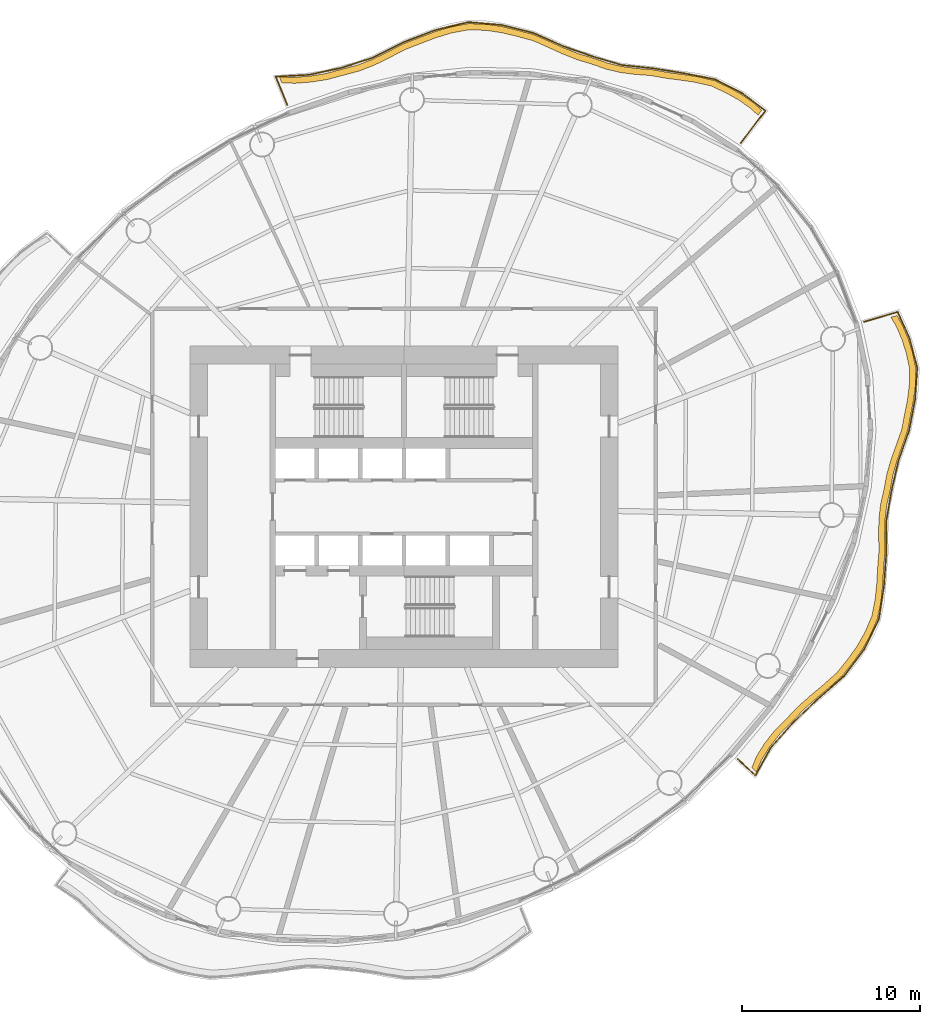
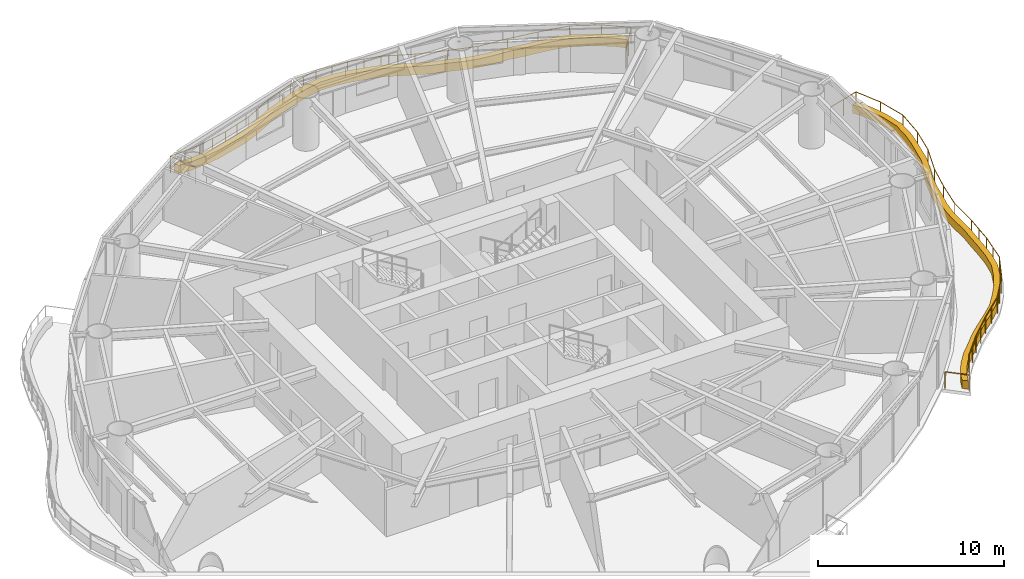
# One storey, part 14 of 14: 2 coverings, 2 railings.
"""IFC4 building model written with IfcOpenShell, lengths in metres."""

from ifc_helpers import new_model, si_unit, direction, frame, origin, origin_2d, place, context, subcontext, project, spatial, polyline, circle, outline, extrude, material, type_object, element, save


model = new_model("IFC4")

# Units and contexts
model_context = context("Model", 3, precision=1e-05, world=origin(), true_north=direction((0.0, 1.0)))
body_context = subcontext(model_context, "Body", "Model", "MODEL_VIEW")
ifc_project = project(units=[si_unit("LENGTHUNIT", "METRE"), si_unit("AREAUNIT", "SQUARE_METRE"), si_unit("VOLUMEUNIT", "CUBIC_METRE"), si_unit("PLANEANGLEUNIT", "RADIAN"), si_unit("MASSUNIT", "GRAM", prefix="KILO")], contexts=[model_context])

# Site, building, storey
site_placement = place(None, origin())
site = spatial("IfcSite", under=ifc_project, at=site_placement, CompositionType="ELEMENT")
building_placement = place(site_placement, origin())
building = spatial("IfcBuilding", under=site, at=building_placement, Name="Vermilion Reach Broadcast Tower", CompositionType="ELEMENT")
storey_placement = place(building_placement, frame((0.0, 0.0, 172.199951171875)))
storey = spatial("IfcBuildingStorey", under=building, at=storey_placement, Name="L41", CompositionType="ELEMENT", Elevation=172.199951171875)

# Coverings
ifc_material_1 = material(Name="Planting soil and greenery")
covering_type = type_object("IfcCoveringType", Name="Balcony PLANTER", PredefinedType="USERDEFINED", material=ifc_material_1)
placement = place(storey_placement, origin())
element("IfcCovering", 1, at=placement, inside=storey, type_object=covering_type, Name="PLANTER L41 group 1", ObjectType="PLANTER", PredefinedType="USERDEFINED", context=body_context, shape_type="SweptSolid", body=[
    extrude(outline(polyline([(14.044677734375, 22.223876953125), (13.5556640625, 22.660888671875), (12.925537109375, 23.100830078125), (12.2529296875, 23.475341796875), (11.39892578125, 23.88232421875), (10.45263671875, 24.106689453125), (9.64501953125, 24.2255859375), (8.832275390625, 24.33251953125), (7.9345703125, 24.494384765625), (7.01416015625, 24.567138671875), (6.2080078125, 24.675048828125), (5.424560546875, 24.860107421875), (4.59375, 25.148193359375), (3.722900390625, 25.406982421875), (2.935546875, 25.72265625), (2.154541015625, 26.080322265625), (1.254150390625, 26.468505859375), (0.289794921875, 26.72314453125), (-0.55322265625, 26.923095703125), (-1.397705078125, 27.04541015625), (-2.3935546875, 27.0791015625), (-3.396240234375, 26.892333984375), (-4.241455078125, 26.63525390625), (-5.080322265625, 26.316162109375), (-6.014892578125, 25.957763671875), (-6.919189453125, 25.49072265625), (-7.736328125, 25.090087890625), (-8.5703125, 24.764892578125), (-9.4833984375, 24.522216796875), (-10.410888671875, 24.27197265625), (-11.3134765625, 24.132080078125), (-12.239501953125, 24.060302734375), (-12.986328125, 24.08837890625), (-12.854248046875, 23.764404296875), (-12.12548828125, 23.729248046875), (-11.199462890625, 23.80126953125), (-10.296630859375, 23.94091796875), (-9.38818359375, 24.185302734375), (-8.494384765625, 24.42333984375), (-7.660400390625, 24.74853515625), (-6.843017578125, 25.14892578125), (-5.958984375, 25.6123046875), (-5.04443359375, 25.968017578125), (-4.205810546875, 26.287109375), (-3.360595703125, 26.544189453125), (-2.379150390625, 26.7294921875), (-1.40478515625, 26.6953125), (-0.560302734375, 26.5732421875), (0.28271484375, 26.373291015625), (1.224853515625, 26.11962890625), (2.102783203125, 25.734130859375), (2.8837890625, 25.37646484375), (3.67138671875, 25.060791015625), (4.518798828125, 24.806396484375), (5.32666015625, 24.524169921875), (6.110107421875, 24.339111328125), (6.916259765625, 24.231201171875), (7.81298828125, 24.166259765625), (8.6875, 24.013671875), (9.50048828125, 23.90673828125), (10.30810546875, 23.787841796875), (11.23095703125, 23.5751953125), (12.0625, 23.181640625), (12.735107421875, 22.80712890625), (13.365478515625, 22.3671875), (13.832275390625, 21.94580078125), (14.044677734375, 22.223876953125)])), origin(), (0.0, 0.0, 1.0), 0.550048828125),
])
element("IfcCovering", 2, at=placement, inside=storey, type_object=covering_type, Name="PLANTER L41 group 4", ObjectType="PLANTER", PredefinedType="USERDEFINED", context=body_context, shape_type="SweptSolid", body=[
    extrude(outline(polyline([(13.744384765625, -14.85888671875), (14.018310546875, -14.2060546875), (14.4990234375, -13.436279296875), (15.05810546875, -12.73193359375), (15.73974609375, -12.04638671875), (16.40625, -11.349365234375), (17.091796875, -10.741943359375), (17.80224609375, -10.15087890625), (18.572021484375, -9.453369140625), (19.200927734375, -8.663818359375), (19.708984375, -7.94873046875), (20.13330078125, -7.19189453125), (20.53564453125, -6.260009765625), (20.73291015625, -5.27587890625), (20.818603515625, -4.406982421875), (20.86865234375, -3.525390625), (20.948486328125, -2.55029296875), (20.93212890625, -1.601318359375), (20.95068359375, -0.76025390625), (21.04541015625, 0.06396484375), (21.242431640625, 0.939453125), (21.401611328125, 1.805419921875), (21.627685546875, 2.59375), (21.906982421875, 3.3779296875), (22.223388671875, 4.28564453125), (22.400390625, 5.208984375), (22.555908203125, 6.004638671875), (22.658203125, 6.796875), (22.679443359375, 7.766845703125), (22.481201171875, 8.6962890625), (22.24658203125, 9.431640625), (21.94482421875, 10.152587890625), (21.62255859375, 10.722900390625), (21.287109375, 10.62353515625), (21.6025390625, 10.07958984375), (21.904296875, 9.3583984375), (22.138916015625, 8.623046875), (22.332763671875, 7.71923828125), (22.308837890625, 6.775390625), (22.20654296875, 5.983154296875), (22.051025390625, 5.1875), (21.87353515625, 4.2890625), (21.55810546875, 3.40625), (21.27880859375, 2.6220703125), (21.052734375, 1.833740234375), (20.896484375, 0.9912109375), (20.70361328125, 0.138916015625), (20.60888671875, -0.685302734375), (20.59033203125, -1.526123046875), (20.6123046875, -2.453369140625), (20.539306640625, -3.4072265625), (20.489013671875, -4.288818359375), (20.403564453125, -5.15771484375), (20.214111328125, -6.121826171875), (19.82080078125, -7.034423828125), (19.396240234375, -7.791259765625), (18.888427734375, -8.50634765625), (18.26904296875, -9.278076171875), (17.51025390625, -9.9580078125), (16.7998046875, -10.549072265625), (16.1142578125, -11.156494140625), (15.458984375, -11.83740234375), (14.78955078125, -12.507568359375), (14.23046875, -13.2119140625), (13.749755859375, -13.981689453125), (13.488525390625, -14.619873046875), (13.744384765625, -14.85888671875)])), origin(), (0.0, 0.0, 1.0), 0.550048828125),
])

# Railings
ifc_material_2 = material(Name="Stainless steel 316 balustrade", Category="steel")
railing_type = type_object("IfcRailingType", Name="Balcony guard 1100", PredefinedType="BALUSTRADE", material=ifc_material_2)
railing_1_placement = place(storey_placement, frame((12.87353515625, 20.39453125, 0.0)))
element("IfcRailing", 3, at=railing_1_placement, inside=storey, type_object=railing_type, Name="Balcony guard L41 group 1", PredefinedType="BALUSTRADE", context=body_context, shape_type="SweptSolid", body=[
    extrude(circle(Radius=0.02490234375, at=origin_2d()), frame((0.0, 0.0, 1.0751953125), z_axis=(0.606912362012, 0.794768761865, 0.0), x_axis=(-0.794768761865, 0.606912362012, 0.0)), (0.0, 0.0, 1.0), 2.2587890625),
    extrude(circle(Radius=0.02490234375, at=origin_2d()), frame((1.370849609375, 1.795166015625, 1.0751953125), z_axis=(-0.793464548972, 0.608616471618, 0.0), x_axis=(-0.608616471618, -0.793464548972, 0.0)), (0.0, 0.0, 1.0), 1.607421875),
    extrude(circle(Radius=0.02490234375, at=origin_2d()), frame((0.095458984375, 2.7734375, 1.0751953125), z_axis=(-0.890015285772, 0.455930686719, 0.0), x_axis=(-0.455930686719, -0.890015285772, 0.0)), (0.0, 0.0, 1.0), 1.720947265625),
    extrude(circle(Radius=0.02490234375, at=origin_2d()), frame((-1.436279296875, 3.55810546875, 1.0751953125), z_axis=(-0.981229957826, 0.192841307465, 0.0), x_axis=(-0.192841307465, -0.981229957826, 0.0)), (0.0, 0.0, 1.0), 1.792724609375),
    extrude(circle(Radius=0.02490234375, at=origin_2d()), frame((-3.1953125, 3.90380859375, 1.0751953125), z_axis=(-0.987734460455, 0.156142997377, 0.0), x_axis=(-0.156142997377, -0.987734460455, 0.0)), (0.0, 0.0, 1.0), 1.737060546875),
    extrude(circle(Radius=0.02490234375, at=origin_2d()), frame((-4.9111328125, 4.175048828125, 1.0751953125), z_axis=(-0.994501611454, 0.104721272027, 0.0), x_axis=(-0.104721272027, -0.994501611454, 0.0)), (0.0, 0.0, 1.0), 1.741455078125),
    extrude(circle(Radius=0.02490234375, at=origin_2d()), frame((-6.64306640625, 4.357421875, 1.0751953125), z_axis=(-0.959685074386, 0.281077494654, 0.0), x_axis=(-0.281077494654, -0.959685074386, 0.0)), (0.0, 0.0, 1.0), 1.687744140625),
    extrude(circle(Radius=0.02490234375, at=origin_2d()), frame((-8.2626953125, 4.831787109375, 1.0751953125), z_axis=(-0.94504377898, 0.326943811398, 0.0), x_axis=(-0.326943811398, -0.94504377898, 0.0)), (0.0, 0.0, 1.0), 1.760009765625),
    extrude(circle(Radius=0.02490234375, at=origin_2d()), frame((-9.926025390625, 5.4072265625, 1.0751953125), z_axis=(-0.91445998209, 0.404676341235, 0.0), x_axis=(-0.404676341235, -0.91445998209, 0.0)), (0.0, 0.0, 1.0), 1.84423828125),
    extrude(circle(Radius=0.02490234375, at=origin_2d()), frame((-11.612548828125, 6.153564453125, 1.0751953125), z_axis=(-0.969934672531, 0.243365426926, 0.0), x_axis=(-0.243365426926, -0.969934672531, 0.0)), (0.0, 0.0, 1.0), 1.868896484375),
    extrude(circle(Radius=0.02490234375, at=origin_2d()), frame((-13.42529296875, 6.6083984375, 1.0751953125), z_axis=(-0.996433943218, 0.084376518081, 0.0), x_axis=(-0.084376518081, -0.996433943218, 0.0)), (0.0, 0.0, 1.0), 1.851806640625),
    extrude(circle(Radius=0.02490234375, at=origin_2d()), frame((-15.2705078125, 6.7646484375, 1.0751953125), z_axis=(-0.972419863752, -0.233237236693, 0.0), x_axis=(0.233237236693, -0.972419863752, 0.0)), (0.0, 0.0, 1.0), 1.905029296875),
    extrude(circle(Radius=0.02490234375, at=origin_2d()), frame((-17.123046875, 6.3203125, 1.0751953125), z_axis=(-0.934353551607, -0.356347359468, 0.0), x_axis=(0.356347359468, -0.934353551607, 0.0)), (0.0, 0.0, 1.0), 1.9033203125),
    extrude(circle(Radius=0.02490234375, at=origin_2d()), frame((-18.9013671875, 5.64208984375, 1.0751953125), z_axis=(-0.893286997431, -0.449486751996, 0.0), x_axis=(0.449486751996, -0.893286997431, 0.0)), (0.0, 0.0, 1.0), 1.931884765625),
    extrude(circle(Radius=0.02490234375, at=origin_2d()), frame((-20.627197265625, 4.773681640625, 1.0751953125), z_axis=(-0.951055499431, -0.309020123944, 0.0), x_axis=(0.309020123944, -0.951055499431, 0.0)), (0.0, 0.0, 1.0), 1.841552734375),
    extrude(circle(Radius=0.02490234375, at=origin_2d()), frame((-22.378662109375, 4.20458984375, 1.0751953125), z_axis=(-0.977992482317, -0.208640131641, 0.0), x_axis=(0.208640131641, -0.977992482317, 0.0)), (0.0, 0.0, 1.0), 1.875732421875),
    extrude(circle(Radius=0.02490234375, at=origin_2d()), frame((-24.213134765625, 3.813232421875, 1.0751953125), z_axis=(-0.998426057306, -0.056083937927, 0.0), x_axis=(0.056083937927, -0.998426057306, 0.0)), (0.0, 0.0, 1.0), 1.85009765625),
    extrude(circle(Radius=0.02490234375, at=origin_2d()), frame((-26.060302734375, 3.70947265625, 1.0751953125), z_axis=(0.377174815028, -0.926142083543, 0.0), x_axis=(0.926142083543, 0.377174815028, 0.0)), (0.0, 0.0, 1.0), 1.71533203125),
    extrude(circle(Radius=0.02490234375, at=origin_2d()), origin(), (0.0, 0.0, 1.0), 1.050048828125),
    extrude(circle(Radius=0.02490234375, at=origin_2d()), frame((0.685546875, 0.8974609375, 0.0)), (0.0, 0.0, 1.0), 1.050048828125),
    extrude(circle(Radius=0.02490234375, at=origin_2d()), frame((1.370849609375, 1.795166015625, 0.0)), (0.0, 0.0, 1.0), 1.050048828125),
    extrude(circle(Radius=0.02490234375, at=origin_2d()), frame((0.095458984375, 2.7734375, 0.0)), (0.0, 0.0, 1.0), 1.050048828125),
    extrude(circle(Radius=0.02490234375, at=origin_2d()), frame((-1.436279296875, 3.55810546875, 0.0)), (0.0, 0.0, 1.0), 1.050048828125),
    extrude(circle(Radius=0.02490234375, at=origin_2d()), frame((-3.1953125, 3.90380859375, 0.0)), (0.0, 0.0, 1.0), 1.050048828125),
    extrude(circle(Radius=0.02490234375, at=origin_2d()), frame((-4.9111328125, 4.175048828125, 0.0)), (0.0, 0.0, 1.0), 1.050048828125),
    extrude(circle(Radius=0.02490234375, at=origin_2d()), frame((-6.64306640625, 4.357421875, 0.0)), (0.0, 0.0, 1.0), 1.050048828125),
    extrude(circle(Radius=0.02490234375, at=origin_2d()), frame((-8.2626953125, 4.831787109375, 0.0)), (0.0, 0.0, 1.0), 1.050048828125),
    extrude(circle(Radius=0.02490234375, at=origin_2d()), frame((-9.926025390625, 5.4072265625, 0.0)), (0.0, 0.0, 1.0), 1.050048828125),
    extrude(circle(Radius=0.02490234375, at=origin_2d()), frame((-10.769287109375, 5.7802734375, 0.0)), (0.0, 0.0, 1.0), 1.050048828125),
    extrude(circle(Radius=0.02490234375, at=origin_2d()), frame((-11.612548828125, 6.153564453125, 0.0)), (0.0, 0.0, 1.0), 1.050048828125),
    extrude(circle(Radius=0.02490234375, at=origin_2d()), frame((-12.51904296875, 6.380859375, 0.0)), (0.0, 0.0, 1.0), 1.050048828125),
    extrude(circle(Radius=0.02490234375, at=origin_2d()), frame((-13.42529296875, 6.6083984375, 0.0)), (0.0, 0.0, 1.0), 1.050048828125),
    extrude(circle(Radius=0.02490234375, at=origin_2d()), frame((-14.347900390625, 6.6865234375, 0.0)), (0.0, 0.0, 1.0), 1.050048828125),
    extrude(circle(Radius=0.02490234375, at=origin_2d()), frame((-15.2705078125, 6.7646484375, 0.0)), (0.0, 0.0, 1.0), 1.050048828125),
    extrude(circle(Radius=0.02490234375, at=origin_2d()), frame((-16.19677734375, 6.54248046875, 0.0)), (0.0, 0.0, 1.0), 1.050048828125),
    extrude(circle(Radius=0.02490234375, at=origin_2d()), frame((-17.123046875, 6.3203125, 0.0)), (0.0, 0.0, 1.0), 1.050048828125),
    extrude(circle(Radius=0.02490234375, at=origin_2d()), frame((-18.01220703125, 5.981201171875, 0.0)), (0.0, 0.0, 1.0), 1.050048828125),
    extrude(circle(Radius=0.02490234375, at=origin_2d()), frame((-18.9013671875, 5.64208984375, 0.0)), (0.0, 0.0, 1.0), 1.050048828125),
    extrude(circle(Radius=0.02490234375, at=origin_2d()), frame((-19.76416015625, 5.2080078125, 0.0)), (0.0, 0.0, 1.0), 1.050048828125),
    extrude(circle(Radius=0.02490234375, at=origin_2d()), frame((-20.627197265625, 4.773681640625, 0.0)), (0.0, 0.0, 1.0), 1.050048828125),
    extrude(circle(Radius=0.02490234375, at=origin_2d()), frame((-21.5029296875, 4.4892578125, 0.0)), (0.0, 0.0, 1.0), 1.050048828125),
    extrude(circle(Radius=0.02490234375, at=origin_2d()), frame((-22.378662109375, 4.20458984375, 0.0)), (0.0, 0.0, 1.0), 1.050048828125),
    extrude(circle(Radius=0.02490234375, at=origin_2d()), frame((-23.2958984375, 4.0087890625, 0.0)), (0.0, 0.0, 1.0), 1.050048828125),
    extrude(circle(Radius=0.02490234375, at=origin_2d()), frame((-24.213134765625, 3.813232421875, 0.0)), (0.0, 0.0, 1.0), 1.050048828125),
    extrude(circle(Radius=0.02490234375, at=origin_2d()), frame((-25.13671875, 3.76123046875, 0.0)), (0.0, 0.0, 1.0), 1.050048828125),
    extrude(circle(Radius=0.02490234375, at=origin_2d()), frame((-26.060302734375, 3.70947265625, 0.0)), (0.0, 0.0, 1.0), 1.050048828125),
    extrude(circle(Radius=0.02490234375, at=origin_2d()), frame((-25.413330078125, 2.120849609375, 0.0)), (0.0, 0.0, 1.0), 1.050048828125),
])
railing_2_placement = place(storey_placement, frame((12.7060546875, -14.135009765625, 0.0)))
element("IfcRailing", 4, at=railing_2_placement, inside=storey, type_object=railing_type, Name="Balcony guard L41 group 4", PredefinedType="BALUSTRADE", context=body_context, shape_type="SweptSolid", body=[
    extrude(circle(Radius=0.02490234375, at=origin_2d()), frame((0.0, 0.0, 1.0751953125), z_axis=(0.730873864846, -0.682512559361, 0.0), x_axis=(0.682512559361, 0.730873864846, 0.0)), (0.0, 0.0, 1.0), 1.3427734375),
    extrude(circle(Radius=0.02490234375, at=origin_2d()), frame((0.9814453125, -0.91650390625, 1.0751953125), z_axis=(0.487320233638, 0.873223333339, 0.0), x_axis=(-0.873223333339, 0.487320233638, 0.0)), (0.0, 0.0, 1.0), 1.791015625),
    extrude(circle(Radius=0.02490234375, at=origin_2d()), frame((1.854248046875, 0.6474609375, 1.0751953125), z_axis=(0.665904057972, 0.746037388859, 0.0), x_axis=(-0.746037388859, 0.665904057972, 0.0)), (0.0, 0.0, 1.0), 1.86767578125),
    extrude(circle(Radius=0.02490234375, at=origin_2d()), frame((3.097900390625, 2.040771484375, 1.0751953125), z_axis=(0.719314343906, 0.6946847304, 0.0), x_axis=(-0.6946847304, 0.719314343906, 0.0)), (0.0, 0.0, 1.0), 1.88330078125),
    extrude(circle(Radius=0.02490234375, at=origin_2d()), frame((4.45263671875, 3.34912109375, 1.0751953125), z_axis=(0.753805840353, 0.657097218872, 0.0), x_axis=(-0.657097218872, 0.753805840353, 0.0)), (0.0, 0.0, 1.0), 1.966552734375),
    extrude(circle(Radius=0.02490234375, at=origin_2d()), frame((5.93505859375, 4.641357421875, 1.0751953125), z_axis=(0.602559025616, 0.798074320254, 0.0), x_axis=(-0.798074320254, 0.602559025616, 0.0)), (0.0, 0.0, 1.0), 1.890625),
    extrude(circle(Radius=0.02490234375, at=origin_2d()), frame((7.07421875, 6.150146484375, 1.0751953125), z_axis=(0.439635108885, 0.898176469874, 0.0), x_axis=(-0.898176469874, 0.439635108885, 0.0)), (0.0, 0.0, 1.0), 1.88525390625),
    extrude(circle(Radius=0.02490234375, at=origin_2d()), frame((7.903076171875, 7.843505859375, 1.0751953125), z_axis=(0.151490902739, 0.988458651835, 0.0), x_axis=(-0.988458651835, 0.151490902739, 0.0)), (0.0, 0.0, 1.0), 1.879150390625),
    extrude(circle(Radius=0.02490234375, at=origin_2d()), frame((8.187744140625, 9.700927734375, 1.0751953125), z_axis=(0.070503372751, 0.997511541001, 0.0), x_axis=(-0.997511541001, 0.070503372751, 0.0)), (0.0, 0.0, 1.0), 1.866455078125),
    extrude(circle(Radius=0.02490234375, at=origin_2d()), frame((8.3193359375, 11.562744140625, 1.0751953125), z_axis=(0.001904499335, 0.999998186439, 0.0), x_axis=(-0.999998186439, 0.001904499335, 0.0)), (0.0, 0.0, 1.0), 1.794677734375),
    extrude(circle(Radius=0.02490234375, at=origin_2d()), frame((8.32275390625, 13.357421875, 1.0751953125), z_axis=(0.169339815093, 0.985557723842, 0.0), x_axis=(-0.985557723842, 0.169339815093, 0.0)), (0.0, 0.0, 1.0), 1.72998046875),
    extrude(circle(Radius=0.02490234375, at=origin_2d()), frame((8.61572265625, 15.0625, 1.0751953125), z_axis=(0.226355454053, 0.974044767154, 0.0), x_axis=(-0.974044767154, 0.226355454053, 0.0)), (0.0, 0.0, 1.0), 1.7041015625),
    extrude(circle(Radius=0.02490234375, at=origin_2d()), frame((9.00146484375, 16.722412109375, 1.0751953125), z_axis=(0.331250930959, 0.943542696829, 0.0), x_axis=(-0.943542696829, 0.331250930959, 0.0)), (0.0, 0.0, 1.0), 1.799072265625),
    extrude(circle(Radius=0.02490234375, at=origin_2d()), frame((9.597412109375, 18.419921875, 1.0751953125), z_axis=(0.189187660371, 0.981940949937, 0.0), x_axis=(-0.981940949937, 0.189187660371, 0.0)), (0.0, 0.0, 1.0), 1.75634765625),
    extrude(circle(Radius=0.02490234375, at=origin_2d()), frame((9.9296875, 20.14453125, 1.0751953125), z_axis=(0.069426111107, 0.997587096497, 0.0), x_axis=(-0.997587096497, 0.069426111107, 0.0)), (0.0, 0.0, 1.0), 1.7724609375),
    extrude(circle(Radius=0.02490234375, at=origin_2d()), frame((10.052734375, 21.91259765625, 1.0751953125), z_axis=(-0.251477519013, 0.967863139824, 0.0), x_axis=(-0.967863139824, -0.251477519013, 0.0)), (0.0, 0.0, 1.0), 1.72607421875),
    extrude(circle(Radius=0.02490234375, at=origin_2d()), frame((9.61865234375, 23.583251953125, 1.0751953125), z_axis=(-0.410396091457, 0.911907368167, 0.0), x_axis=(-0.911907368167, -0.410396091457, 0.0)), (0.0, 0.0, 1.0), 1.61572265625),
    extrude(circle(Radius=0.02490234375, at=origin_2d()), frame((8.95556640625, 25.056640625, 1.0751953125), z_axis=(-0.958872210275, -0.283838130565, 0.0), x_axis=(0.283838130565, -0.958872210275, 0.0)), (0.0, 0.0, 1.0), 1.960205078125),
    extrude(circle(Radius=0.02490234375, at=origin_2d()), origin(), (0.0, 0.0, 1.0), 1.050048828125),
    extrude(circle(Radius=0.02490234375, at=origin_2d()), frame((0.9814453125, -0.91650390625, 0.0)), (0.0, 0.0, 1.0), 1.050048828125),
    extrude(circle(Radius=0.02490234375, at=origin_2d()), frame((1.854248046875, 0.6474609375, 0.0)), (0.0, 0.0, 1.0), 1.050048828125),
    extrude(circle(Radius=0.02490234375, at=origin_2d()), frame((2.47607421875, 1.34423828125, 0.0)), (0.0, 0.0, 1.0), 1.050048828125),
    extrude(circle(Radius=0.02490234375, at=origin_2d()), frame((3.097900390625, 2.040771484375, 0.0)), (0.0, 0.0, 1.0), 1.050048828125),
    extrude(circle(Radius=0.02490234375, at=origin_2d()), frame((3.775390625, 2.69482421875, 0.0)), (0.0, 0.0, 1.0), 1.050048828125),
    extrude(circle(Radius=0.02490234375, at=origin_2d()), frame((4.45263671875, 3.34912109375, 0.0)), (0.0, 0.0, 1.0), 1.050048828125),
    extrude(circle(Radius=0.02490234375, at=origin_2d()), frame((5.19384765625, 3.9951171875, 0.0)), (0.0, 0.0, 1.0), 1.050048828125),
    extrude(circle(Radius=0.02490234375, at=origin_2d()), frame((5.93505859375, 4.641357421875, 0.0)), (0.0, 0.0, 1.0), 1.050048828125),
    extrude(circle(Radius=0.02490234375, at=origin_2d()), frame((6.504638671875, 5.395751953125, 0.0)), (0.0, 0.0, 1.0), 1.050048828125),
    extrude(circle(Radius=0.02490234375, at=origin_2d()), frame((7.07421875, 6.150146484375, 0.0)), (0.0, 0.0, 1.0), 1.050048828125),
    extrude(circle(Radius=0.02490234375, at=origin_2d()), frame((7.48876953125, 6.996826171875, 0.0)), (0.0, 0.0, 1.0), 1.050048828125),
    extrude(circle(Radius=0.02490234375, at=origin_2d()), frame((7.903076171875, 7.843505859375, 0.0)), (0.0, 0.0, 1.0), 1.050048828125),
    extrude(circle(Radius=0.02490234375, at=origin_2d()), frame((8.04541015625, 8.772216796875, 0.0)), (0.0, 0.0, 1.0), 1.050048828125),
    extrude(circle(Radius=0.02490234375, at=origin_2d()), frame((8.187744140625, 9.700927734375, 0.0)), (0.0, 0.0, 1.0), 1.050048828125),
    extrude(circle(Radius=0.02490234375, at=origin_2d()), frame((8.25341796875, 10.6318359375, 0.0)), (0.0, 0.0, 1.0), 1.050048828125),
    extrude(circle(Radius=0.02490234375, at=origin_2d()), frame((8.3193359375, 11.562744140625, 0.0)), (0.0, 0.0, 1.0), 1.050048828125),
    extrude(circle(Radius=0.02490234375, at=origin_2d()), frame((8.32275390625, 13.357421875, 0.0)), (0.0, 0.0, 1.0), 1.050048828125),
    extrude(circle(Radius=0.02490234375, at=origin_2d()), frame((8.61572265625, 15.0625, 0.0)), (0.0, 0.0, 1.0), 1.050048828125),
    extrude(circle(Radius=0.02490234375, at=origin_2d()), frame((9.00146484375, 16.722412109375, 0.0)), (0.0, 0.0, 1.0), 1.050048828125),
    extrude(circle(Radius=0.02490234375, at=origin_2d()), frame((9.597412109375, 18.419921875, 0.0)), (0.0, 0.0, 1.0), 1.050048828125),
    extrude(circle(Radius=0.02490234375, at=origin_2d()), frame((9.9296875, 20.14453125, 0.0)), (0.0, 0.0, 1.0), 1.050048828125),
    extrude(circle(Radius=0.02490234375, at=origin_2d()), frame((10.052734375, 21.91259765625, 0.0)), (0.0, 0.0, 1.0), 1.050048828125),
    extrude(circle(Radius=0.02490234375, at=origin_2d()), frame((9.61865234375, 23.583251953125, 0.0)), (0.0, 0.0, 1.0), 1.050048828125),
    extrude(circle(Radius=0.02490234375, at=origin_2d()), frame((8.95556640625, 25.056640625, 0.0)), (0.0, 0.0, 1.0), 1.050048828125),
    extrude(circle(Radius=0.02490234375, at=origin_2d()), frame((8.015625, 24.7783203125, 0.0)), (0.0, 0.0, 1.0), 1.050048828125),
    extrude(circle(Radius=0.02490234375, at=origin_2d()), frame((7.075927734375, 24.500244140625, 0.0)), (0.0, 0.0, 1.0), 1.050048828125),
])

save(model, "model.ifc")
